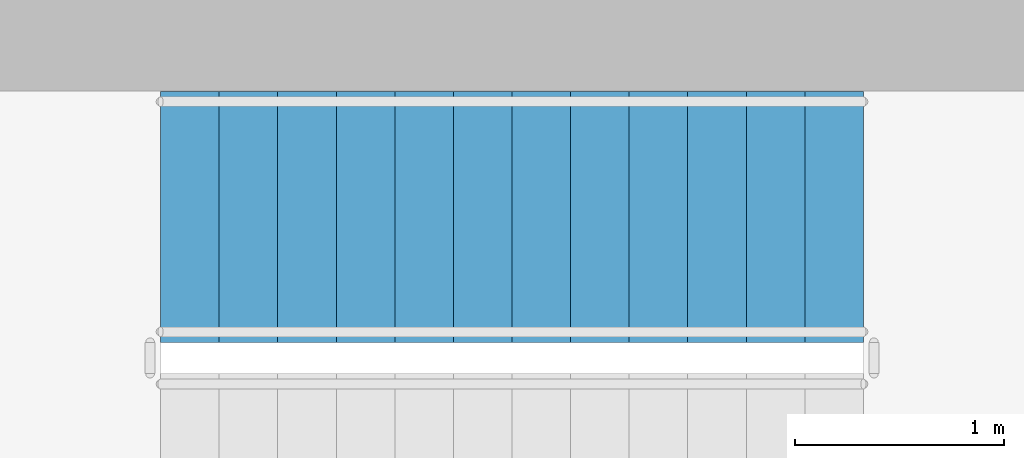
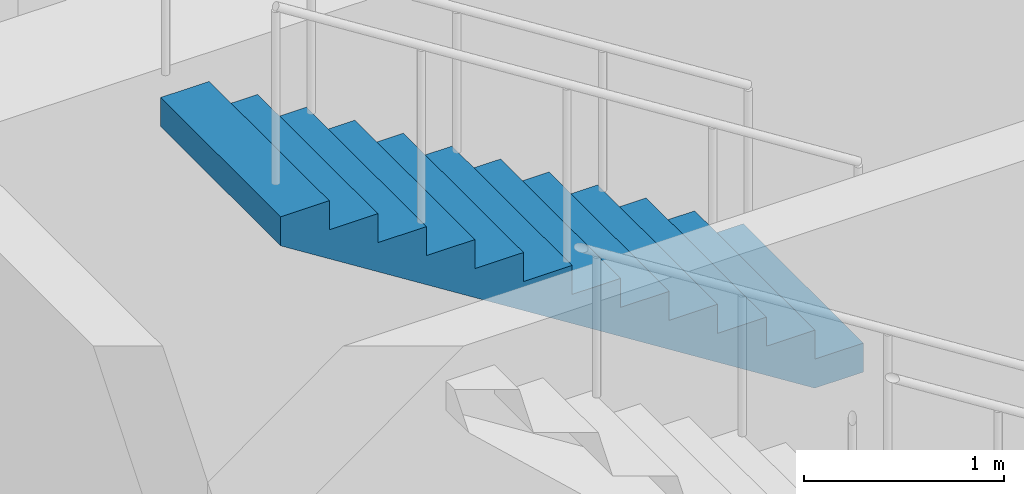
# One storey, part 12 of 19: 1 stair flight, 1 element without a shape of its own.
"""IFC4 building model written with IfcOpenShell, lengths in metres."""

from ifc_helpers import new_model, si_unit, direction, frame, origin, place, context, subcontext, project, spatial, polyline, outline, extrude, material, type_object, element, aggregate, save


model = new_model("IFC4")

# Units and contexts
model_context = context("Model", 3, precision=1e-05, world=origin(), true_north=direction((0.0, 1.0)))
body_context = subcontext(model_context, "Body", "Model", "MODEL_VIEW")
ifc_project = project(units=[si_unit("LENGTHUNIT", "METRE"), si_unit("AREAUNIT", "SQUARE_METRE"), si_unit("VOLUMEUNIT", "CUBIC_METRE"), si_unit("PLANEANGLEUNIT", "RADIAN"), si_unit("MASSUNIT", "GRAM", prefix="KILO")], contexts=[model_context])

# Site, building, storey
site_placement = place(None, origin())
site = spatial("IfcSite", under=ifc_project, at=site_placement, CompositionType="ELEMENT")
building_placement = place(site_placement, origin())
building = spatial("IfcBuilding", under=site, at=building_placement, Name="Ostrand Prow Hotel Tower", CompositionType="ELEMENT")
storey_placement = place(building_placement, frame((0.0, 0.0, 170.89990234375)))
storey = spatial("IfcBuildingStorey", under=building, at=storey_placement, Name="L42", CompositionType="ELEMENT", Elevation=170.89990234375)

# Stair, stair flight
ifc_material_1 = material(Name="Concrete C40/50", Category="concrete")
stair_type = type_object("IfcStairType", Name="Exit stair 1200 upper zone", PredefinedType="HALF_TURN_STAIR", material=ifc_material_1)
stair_placement = place(storey_placement, origin())
stair = element("IfcStair", 1, at=stair_placement, inside=storey, type_object=stair_type, Name="L42 ST3C", PredefinedType="HALF_TURN_STAIR")
ifc_material_2 = material(Name="Concrete C40/50", Category="concrete")
stair_flight_type = type_object("IfcStairFlightType", Name="Stair flight 1200 concrete", PredefinedType="STRAIGHT", material=ifc_material_2)
stair_flight_placement = place(storey_placement, frame((60.56005859375, 15.14990234375, 2.300048828125), z_axis=(0.0, 0.0, 1.0), x_axis=(-1.0, 0.0, 0.0)))
stair_flight = element("IfcStairFlight", 2, at=stair_flight_placement, type_object=stair_flight_type, Name="ST3C flight 2", NumberOfRisers=13, NumberOfTreads=12, PredefinedType="STRAIGHT", RiserHeight=0.176923077, TreadLength=0.28, context=body_context, shape_type="SweptSolid", body=[
    extrude(outline(polyline([(0.0, 0.0), (0.0, 0.177001953125), (0.280029296875, 0.177001953125), (0.280029296875, 0.353759765625), (0.56005859375, 0.353759765625), (0.56005859375, 0.53076171875), (0.840087890625, 0.53076171875), (0.840087890625, 0.707763671875), (1.1201171875, 0.707763671875), (1.1201171875, 0.884521484375), (1.39990234375, 0.884521484375), (1.39990234375, 1.0615234375), (1.679931640625, 1.0615234375), (1.679931640625, 1.238525390625), (1.9599609375, 1.238525390625), (1.9599609375, 1.415283203125), (2.239990234375, 1.415283203125), (2.239990234375, 1.59228515625), (2.52001953125, 1.59228515625), (2.52001953125, 1.769287109375), (2.800048828125, 1.769287109375), (2.800048828125, 1.946044921875), (3.080078125, 1.946044921875), (3.080078125, 2.123046875), (3.360107421875, 2.123046875), (3.360107421875, 2.300048828125), (3.360107421875, 1.94580078125), (0.280517578125, 0.0), (0.0, 0.0)])), frame((0.0, 0.60009765625, 0.0), z_axis=(0.0, -1.0, 0.0), x_axis=(1.0, 0.0, 0.0)), (0.0, 0.0, 1.0), 1.199951171875),
])
aggregate(stair, [stair_flight])

save(model, "model.ifc")
